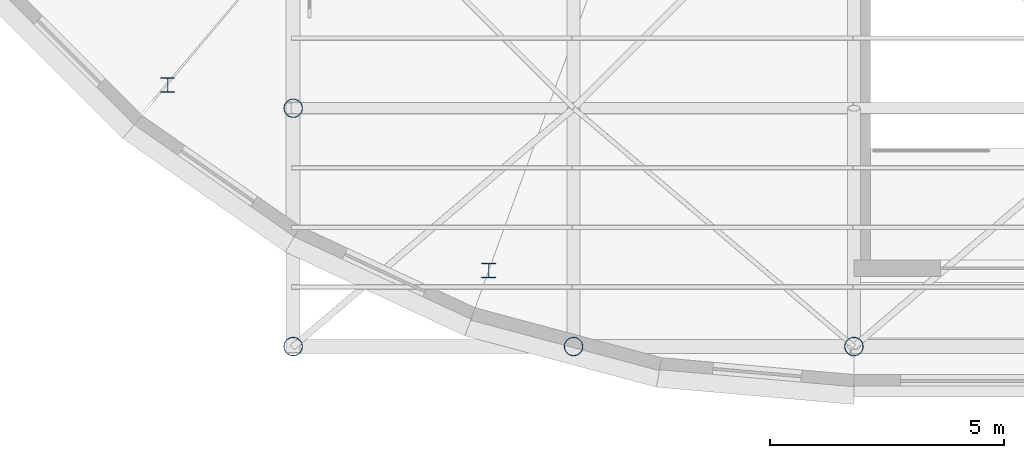
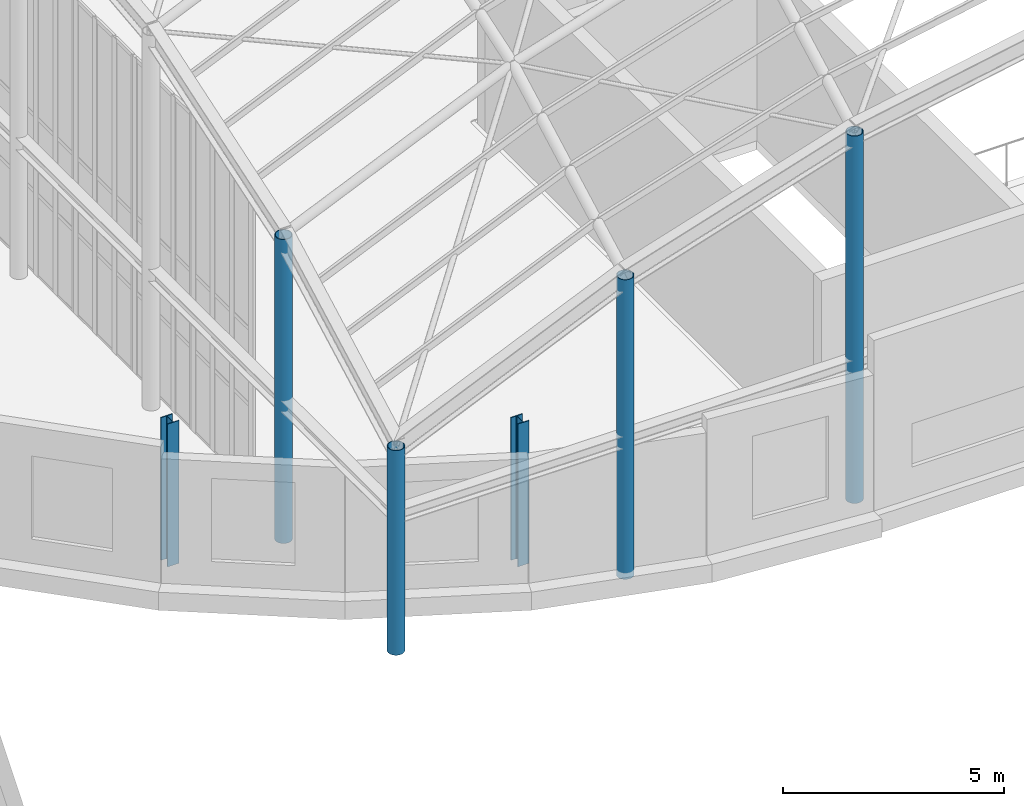
# One storey, part 2 of 75: 6 columns.
"""IFC4 building model written with IfcOpenShell, lengths in metres."""

from ifc_helpers import new_model, si_unit, direction, frame, origin, origin_2d, place, context, subcontext, project, spatial, hollow_circle, i_section, extrude, material, material_profile, profile_set, type_object, element, save


model = new_model("IFC4")

# Units and contexts
model_context = context("Model", 3, precision=1e-05, world=origin(), true_north=direction((0.0, 1.0)))
body_context = subcontext(model_context, "Body", "Model", "MODEL_VIEW")
ifc_project = project(units=[si_unit("LENGTHUNIT", "METRE"), si_unit("AREAUNIT", "SQUARE_METRE"), si_unit("VOLUMEUNIT", "CUBIC_METRE"), si_unit("PLANEANGLEUNIT", "RADIAN"), si_unit("MASSUNIT", "GRAM", prefix="KILO")], contexts=[model_context])

# Site, building, storey
site_placement = place(None, origin())
site = spatial("IfcSite", under=ifc_project, at=site_placement, CompositionType="ELEMENT")
building_placement = place(site_placement, origin())
building = spatial("IfcBuilding", under=site, at=building_placement, Name="Kolvaren Corner Interchange", CompositionType="ELEMENT")
storey_placement = place(building_placement, frame((0.0, 0.0, 10.5)))
storey = spatial("IfcBuildingStorey", under=building, at=storey_placement, Name="L03", CompositionType="ELEMENT", Elevation=10.5)

# Columns
ifc_material_1 = material(Name="Steel S355", Category="steel")
ifc_material_profile_1 = material_profile(ifc_material_1, hollow_circle(Radius=0.203125, WallThickness=0.01611328125, at=origin_2d()), Name="CHS 406.4x16.0")
ifc_profile_set_1 = profile_set([ifc_material_profile_1], Name="Steel S355")
column_type_1 = type_object("IfcColumnType", Name="COL-CHS406", PredefinedType="COLUMN", material=ifc_profile_set_1)
column_1_placement = place(storey_placement, frame((60.0, 24.89990234375, 0.0), z_axis=(0.0, 0.0, 1.0), x_axis=(1.0, 0.0, 0.0)))
element("IfcColumn", 1, at=column_1_placement, inside=storey, type_object=column_type_1, Name="Storey L03 Structural Column 0472", PredefinedType="COLUMN", context=body_context, shape_type="SweptSolid", body=[
    extrude(hollow_circle(Radius=0.203125, WallThickness=0.01611328125, at=origin_2d()), origin(), (0.0, 0.0, 1.0), 10.1650390625),
])
column_2_placement = place(storey_placement, frame((48.0, 24.89990234375, 0.0), z_axis=(0.0, 0.0, 1.0), x_axis=(1.0, 0.0, 0.0)))
element("IfcColumn", 2, at=column_2_placement, inside=storey, type_object=column_type_1, Name="Storey L03 Structural Column 0680", PredefinedType="COLUMN", context=body_context, shape_type="SweptSolid", body=[
    extrude(hollow_circle(Radius=0.203125, WallThickness=0.01611328125, at=origin_2d()), origin(), (0.0, 0.0, 1.0), 5.6650390625),
])
column_3_placement = place(storey_placement, frame((48.0, 30.0, 0.0), z_axis=(0.0, 0.0, 1.0), x_axis=(1.0, 0.0, 0.0)))
element("IfcColumn", 3, at=column_3_placement, inside=storey, type_object=column_type_1, Name="Storey L03 Structural Column 0684", PredefinedType="COLUMN", context=body_context, shape_type="SweptSolid", body=[
    extrude(hollow_circle(Radius=0.203125, WallThickness=0.01611328125, at=origin_2d()), origin(), (0.0, 0.0, 1.0), 8.4130859375),
])
column_4_placement = place(storey_placement, frame((54.0, 24.89990234375, 0.0), z_axis=(0.0, 0.0, 1.0), x_axis=(1.0, 0.0, 0.0)))
element("IfcColumn", 4, at=column_4_placement, inside=storey, type_object=column_type_1, Name="Storey L03 Structural Column 0716", PredefinedType="COLUMN", context=body_context, shape_type="SweptSolid", body=[
    extrude(hollow_circle(Radius=0.203125, WallThickness=0.01611328125, at=origin_2d()), origin(), (0.0, 0.0, 1.0), 8.2900390625),
])
ifc_material_2 = material(Name="Steel S355", Category="steel")
ifc_material_profile_2 = material_profile(ifc_material_2, i_section(OverallWidth=0.300048828125, OverallDepth=0.320068359375, WebThickness=0.011474609375, FlangeThickness=0.0205078125, FilletRadius=0.027099609375, at=origin_2d()), Name="HEB 320")
ifc_profile_set_2 = profile_set([ifc_material_profile_2], Name="Steel S355")
column_type_2 = type_object("IfcColumnType", Name="COL-HEB320", PredefinedType="COLUMN", material=ifc_profile_set_2)
for number, where, z_axis, x_axis, name in (
    (5, (45.31201171875, 30.49609375, 0.0), (0.0, 0.0, 1.0), (1.0, 0.0, 0.0), "Storey L03 Structural Column 0810"),
    (6, (52.18505859375, 26.528076171875, 0.0), (0.0, 0.0, 1.0), (1.0, 0.0, 0.0), "Storey L03 Structural Column 0814"),
):
    element("IfcColumn", number, at=place(storey_placement, frame(where, z_axis=z_axis, x_axis=x_axis)), inside=storey, type_object=column_type_2, Name=name, PredefinedType="COLUMN", context=body_context, shape_type="SweptSolid", body=[
        extrude(i_section(OverallWidth=0.300048828125, OverallDepth=0.320068359375, WebThickness=0.011474609375, FlangeThickness=0.0205078125, FilletRadius=0.027099609375, at=origin_2d()), origin(), (0.0, 0.0, 1.0), 3.949951171875),
    ])

save(model, "model.ifc")
